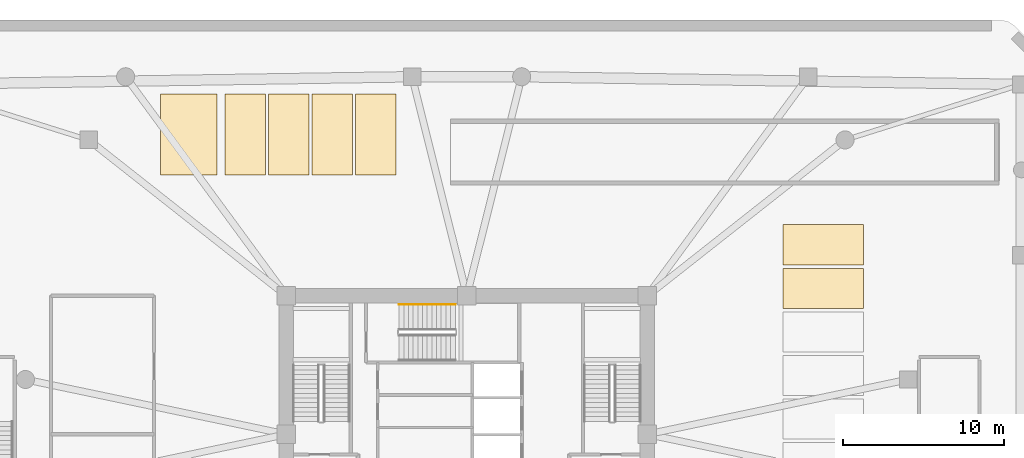
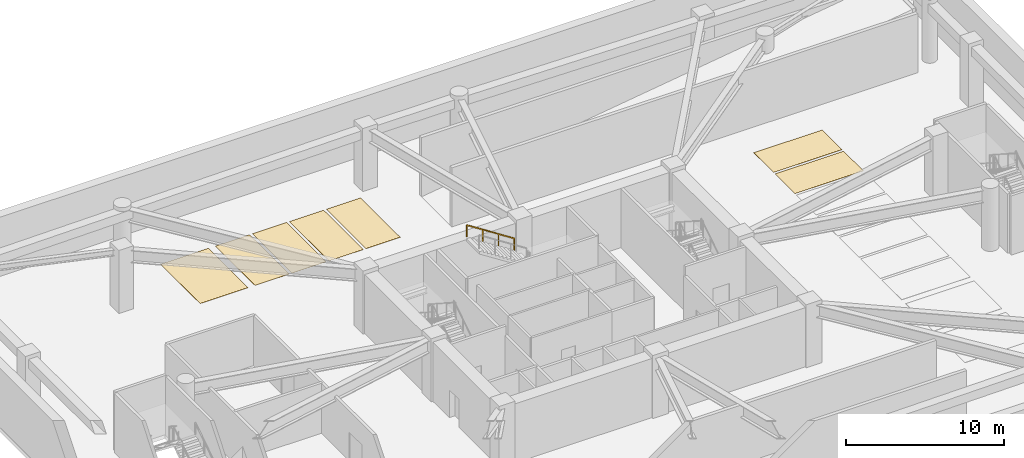
# One storey, part 7 of 8: 7 coverings, 1 railing.
"""IFC4 building model written with IfcOpenShell, lengths in metres."""

from ifc_helpers import new_model, si_unit, derived_unit, direction, frame, origin, origin_2d, place, context, subcontext, project, spatial, polyline, rectangle, outline, extrude, material, layer, layer_set, type_object, element, save


model = new_model("IFC4")

# Units and contexts
model_context = context("Model", 3, precision=1e-05, world=origin(), true_north=direction((0.0, 1.0)))
body_context = subcontext(model_context, "Body", "Model", "MODEL_VIEW")
ifc_project = project(units=[si_unit("LENGTHUNIT", "METRE"), si_unit("AREAUNIT", "SQUARE_METRE"), si_unit("VOLUMEUNIT", "CUBIC_METRE"), si_unit("PLANEANGLEUNIT", "RADIAN"), si_unit("MASSUNIT", "GRAM", prefix="KILO"), derived_unit("THERMALTRANSMITTANCEUNIT", [(si_unit("POWERUNIT", "WATT"), 1), (si_unit("LENGTHUNIT", "METRE"), -2), (si_unit("THERMODYNAMICTEMPERATUREUNIT", "KELVIN"), -1)])], contexts=[model_context])

# Site, building, storey
site_placement = place(None, origin())
site = spatial("IfcSite", under=ifc_project, at=site_placement, CompositionType="ELEMENT")
building_placement = place(site_placement, origin())
building = spatial("IfcBuilding", under=site, at=building_placement, Name="Koralith Skygarden Medical Center", CompositionType="ELEMENT")
storey_placement = place(building_placement, frame((0.0, 0.0, -4.860107421875)))
storey = spatial("IfcBuildingStorey", under=building, at=storey_placement, Name="B1", CompositionType="ELEMENT", Elevation=-4.860107421875)

# Covering
ifc_material_1 = material(Name="Medical Terrazzo Flooring")
ifc_layer_1 = layer(ifc_material_1, 0.008056640625)
ifc_layer_set_1 = layer_set([ifc_layer_1], Name="Medical Terrazzo Flooring")
covering_type_1 = type_object("IfcCoveringType", Name="Accessible Van Parking Bay Marking 3500x5000", PredefinedType="FLOORING", material=ifc_layer_set_1)
covering_1_placement = place(storey_placement, origin())
element("IfcCovering", 1, at=covering_1_placement, inside=storey, type_object=covering_type_1, Name="B1 Accessible Parking Bay A-03", PredefinedType="FLOORING", context=body_context, shape_type="SweptSolid", body=[
    extrude(outline(polyline([(18.0, 42.0), (21.5, 42.0), (21.5, 47.0), (18.0, 47.0), (18.0, 42.0)])), origin(), (0.0, 0.0, 1.0), 0.008056640625),
])

# Railing
ifc_material_2 = material(Name="Steel ASTM A500 Grade C", Category="steel")
railing_type = type_object("IfcRailingType", Name="Stair Flight Tubular Handrail 920", PredefinedType="HANDRAIL", material=ifc_material_2)
railing_placement = place(storey_placement, frame((36.280029296875, 33.949951171875, 2.616943359375)))
element("IfcRailing", 2, at=railing_placement, inside=storey, type_object=railing_type, Name="B1 ST3 stair handrail 2", PredefinedType="HANDRAIL", context=body_context, shape_type="SweptSolid", body=[
    extrude(rectangle(XDim=0.050048828125, YDim=0.050048828125, at=origin_2d()), frame((-0.001708984375, 0.0, 0.89599609375), z_axis=(-0.840514944087, 0.0, 0.541788361602), x_axis=(0.0, -1.0, 0.0)), (0.0, 0.0, 1.0), 4.13623046875),
    extrude(rectangle(XDim=0.0419921875, YDim=0.0419921875, at=origin_2d()), origin(), (0.0, 0.0, 1.0), 0.867919921875),
    extrude(rectangle(XDim=0.0419921875, YDim=0.0419921875, at=origin_2d()), frame((-1.159912109375, 0.0, 0.747802734375)), (0.0, 0.0, 1.0), 0.867919921875),
    extrude(rectangle(XDim=0.0419921875, YDim=0.0419921875, at=origin_2d()), frame((-2.320068359375, 0.0, 1.495361328125)), (0.0, 0.0, 1.0), 0.867919921875),
    extrude(rectangle(XDim=0.0419921875, YDim=0.0419921875, at=origin_2d()), frame((-3.47998046875, 0.0, 2.2431640625)), (0.0, 0.0, 1.0), 0.867919921875),
])

# Coverings
ifc_layer_2 = layer(ifc_material_1, 0.008056640625)
ifc_layer_set_2 = layer_set([ifc_layer_2], Name="Medical Terrazzo Flooring")
covering_type_2 = type_object("IfcCoveringType", Name="Standard Car Park Bay Marking 2500x5000", PredefinedType="FLOORING", material=ifc_layer_set_2)
covering_2_placement = place(storey_placement, origin())
element("IfcCovering", 3, at=covering_2_placement, inside=storey, type_object=covering_type_2, Name="B1 Standard Parking Bay P-06", PredefinedType="FLOORING", context=body_context, shape_type="SweptSolid", body=[
    extrude(outline(polyline([(56.60009765625, 33.699951171875), (61.60009765625, 33.699951171875), (61.60009765625, 36.199951171875), (56.60009765625, 36.199951171875), (56.60009765625, 33.699951171875)])), origin(), (0.0, 0.0, 1.0), 0.008056640625),
])
covering_3_placement = place(storey_placement, origin())
element("IfcCovering", 4, at=covering_3_placement, inside=storey, type_object=covering_type_2, Name="B1 Standard Parking Bay P-07", PredefinedType="FLOORING", context=body_context, shape_type="SweptSolid", body=[
    extrude(outline(polyline([(56.60009765625, 36.39990234375), (61.60009765625, 36.39990234375), (61.60009765625, 38.89990234375), (56.60009765625, 38.89990234375), (56.60009765625, 36.39990234375)])), origin(), (0.0, 0.0, 1.0), 0.008056640625),
])
covering_4_placement = place(storey_placement, origin())
element("IfcCovering", 5, at=covering_4_placement, inside=storey, type_object=covering_type_2, Name="B1 Standard Parking Bay P-08", PredefinedType="FLOORING", context=body_context, shape_type="SweptSolid", body=[
    extrude(outline(polyline([(22.0, 42.0), (24.5, 42.0), (24.5, 47.0), (22.0, 47.0), (22.0, 42.0)])), origin(), (0.0, 0.0, 1.0), 0.008056640625),
])
covering_5_placement = place(storey_placement, origin())
element("IfcCovering", 6, at=covering_5_placement, inside=storey, type_object=covering_type_2, Name="B1 Standard Parking Bay P-09", PredefinedType="FLOORING", context=body_context, shape_type="SweptSolid", body=[
    extrude(outline(polyline([(24.699951171875, 42.0), (27.199951171875, 42.0), (27.199951171875, 47.0), (24.699951171875, 47.0), (24.699951171875, 42.0)])), origin(), (0.0, 0.0, 1.0), 0.008056640625),
])
covering_6_placement = place(storey_placement, origin())
element("IfcCovering", 7, at=covering_6_placement, inside=storey, type_object=covering_type_2, Name="B1 Standard Parking Bay P-10", PredefinedType="FLOORING", context=body_context, shape_type="SweptSolid", body=[
    extrude(outline(polyline([(27.39990234375, 42.0), (29.89990234375, 42.0), (29.89990234375, 47.0), (27.39990234375, 47.0), (27.39990234375, 42.0)])), origin(), (0.0, 0.0, 1.0), 0.008056640625),
])
covering_7_placement = place(storey_placement, origin())
element("IfcCovering", 8, at=covering_7_placement, inside=storey, type_object=covering_type_2, Name="B1 Standard Parking Bay P-11", PredefinedType="FLOORING", context=body_context, shape_type="SweptSolid", body=[
    extrude(outline(polyline([(30.10009765625, 42.0), (32.60009765625, 42.0), (32.60009765625, 47.0), (30.10009765625, 47.0), (30.10009765625, 42.0)])), origin(), (0.0, 0.0, 1.0), 0.008056640625),
])

save(model, "model.ifc")
